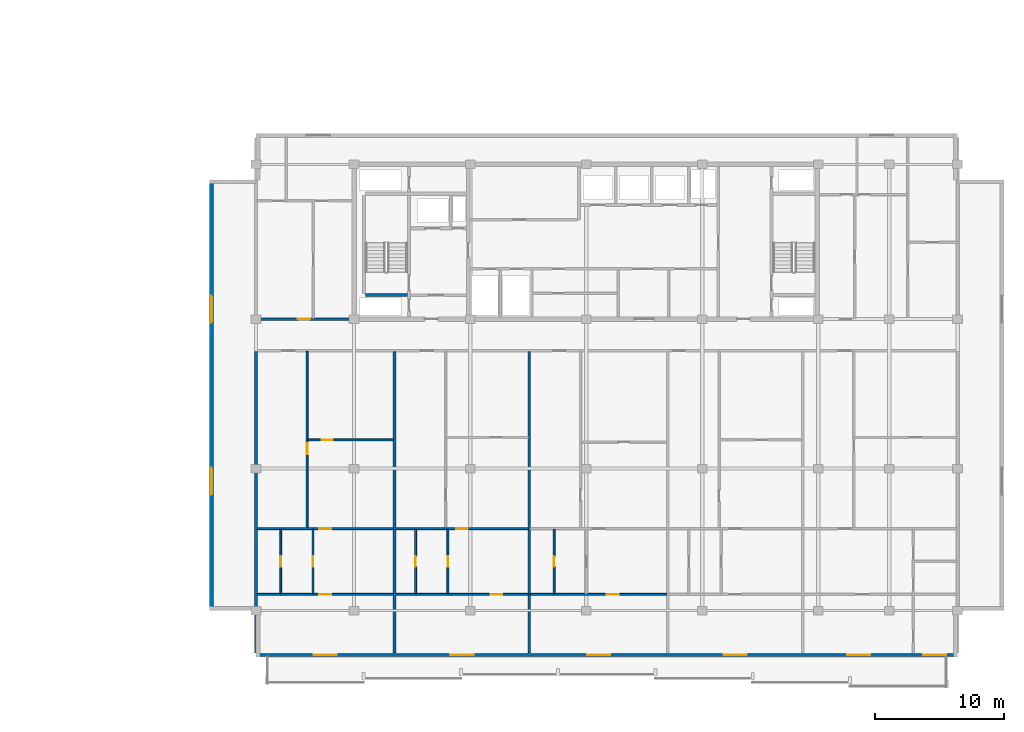
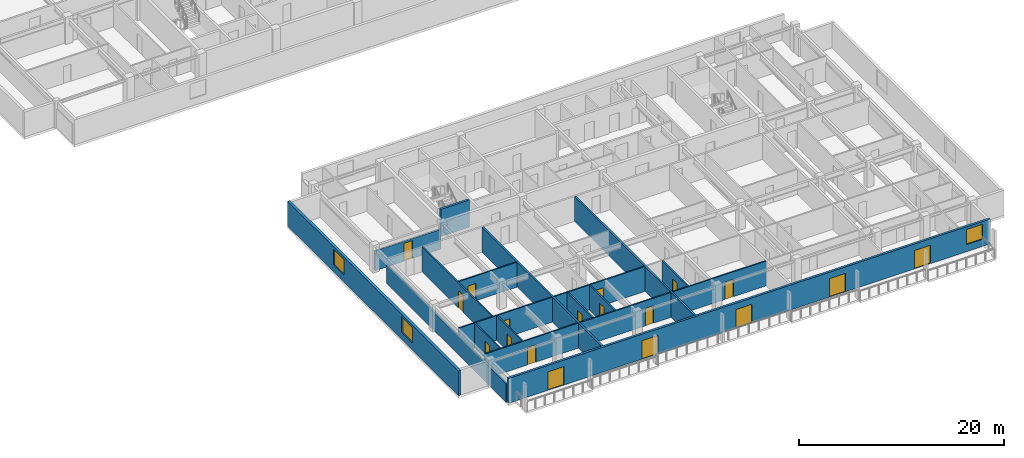
# One storey, part 4 of 21: 19 walls, 18 doors, 3 windows, 21 openings.
"""IFC4 building model written with IfcOpenShell, lengths in metres."""

from ifc_helpers import new_model, si_unit, direction, frame, frame_2d, origin, place, context, subcontext, project, spatial, rectangle, extrude, material, layer, layer_set, type_object, element, fill, save


model = new_model("IFC4")

# Units and contexts
model_context = context("Model", 3, precision=1e-05, world=origin(), true_north=direction((0.0, 1.0)))
body_context = subcontext(model_context, "Body", "Model", "MODEL_VIEW")
ifc_project = project(units=[si_unit("LENGTHUNIT", "METRE"), si_unit("AREAUNIT", "SQUARE_METRE"), si_unit("VOLUMEUNIT", "CUBIC_METRE"), si_unit("PLANEANGLEUNIT", "RADIAN"), si_unit("MASSUNIT", "GRAM", prefix="KILO")], contexts=[model_context])

# Site, building, storey
site_placement = place(None, origin())
site = spatial("IfcSite", under=ifc_project, at=site_placement, CompositionType="ELEMENT")
building_placement = place(site_placement, origin())
building = spatial("IfcBuilding", under=site, at=building_placement, Name="Korimba Cascade Residences", CompositionType="ELEMENT")
storey_placement = place(building_placement, frame((0.0, 0.0, 171.85009765625)))
storey = spatial("IfcBuildingStorey", under=building, at=storey_placement, Name="L49", CompositionType="ELEMENT", Elevation=171.85009765625)

# Wall, openings, doors, window
ifc_material_1 = material(Name="Precast concrete C40/50", Category="concrete")
ifc_layer_1 = layer(ifc_material_1, 0.25)
ifc_layer_set_1 = layer_set([ifc_layer_1], Name="Precast concrete C40/50")
wall_type_1 = type_object("IfcWallType", Name="EW-LOG-250", PredefinedType="STANDARD", material=ifc_layer_set_1)
wall_1_placement = place(storey_placement, frame((74.5, -7.64990234375, 0.0), z_axis=(0.0, 0.0, 1.0), x_axis=(1.0, 0.0, 0.0)))
wall_1 = element("IfcWall", 1, at=wall_1_placement, inside=storey, type_object=wall_type_1, Name="L49 T2 Perimeter Stone Wall E00", PredefinedType="STANDARD", context=body_context, shape_type="SweptSolid", body=[
    extrude(rectangle(XDim=54.39990234375, YDim=0.25, at=frame_2d((27.199951171875, 0.0))), origin(), (0.0, 0.0, 1.0), 2.969970703125),
])
opening_1_placement = place(wall_1_placement, frame((4.470458984375, 0.0, 0.0)))
opening_1 = element("IfcOpeningElement", 2, at=opening_1_placement, cuts=wall_1, Name="Opening D-LG1", PredefinedType="OPENING", context=body_context, shape_type="SweptSolid", body=[
    extrude(rectangle(XDim=1.800048828125, YDim=2.199951171875, at=frame_2d((0.89990234375, 1.10009765625))), frame((0.0, 0.135009765625, 0.0), z_axis=(0.0, -1.0, 0.0), x_axis=(1.0, 0.0, 0.0)), (0.0, 0.0, 1.0), 0.27001953125),
])
opening_2_placement = place(wall_1_placement, frame((15.068359375, 0.0, 0.0)))
opening_2 = element("IfcOpeningElement", 3, at=opening_2_placement, cuts=wall_1, Name="Opening D-LG1", PredefinedType="OPENING", context=body_context, shape_type="SweptSolid", body=[
    extrude(rectangle(XDim=1.800048828125, YDim=2.199951171875, at=frame_2d((0.89990234375, 1.10009765625))), frame((0.0, 0.135009765625, 0.0), z_axis=(0.0, -1.0, 0.0), x_axis=(1.0, 0.0, 0.0)), (0.0, 0.0, 1.0), 0.27001953125),
])
opening_3_placement = place(wall_1_placement, frame((25.666259765625, 0.0, 0.0)))
opening_3 = element("IfcOpeningElement", 4, at=opening_3_placement, cuts=wall_1, Name="Opening D-LG1", PredefinedType="OPENING", context=body_context, shape_type="SweptSolid", body=[
    extrude(rectangle(XDim=1.800048828125, YDim=2.199951171875, at=frame_2d((0.89990234375, 1.10009765625))), frame((0.0, 0.135009765625, 0.0), z_axis=(0.0, -1.0, 0.0), x_axis=(1.0, 0.0, 0.0)), (0.0, 0.0, 1.0), 0.27001953125),
])
opening_4_placement = place(wall_1_placement, frame((36.264404296875, 0.0, 0.0)))
opening_4 = element("IfcOpeningElement", 5, at=opening_4_placement, cuts=wall_1, Name="Opening D-LG1", PredefinedType="OPENING", context=body_context, shape_type="SweptSolid", body=[
    extrude(rectangle(XDim=1.800048828125, YDim=2.199951171875, at=frame_2d((0.89990234375, 1.10009765625))), frame((0.0, 0.135009765625, 0.0), z_axis=(0.0, -1.0, 0.0), x_axis=(1.0, 0.0, 0.0)), (0.0, 0.0, 1.0), 0.27001953125),
])
opening_5_placement = place(wall_1_placement, frame((45.845947265625, 0.0, 0.0)))
opening_5 = element("IfcOpeningElement", 6, at=opening_5_placement, cuts=wall_1, Name="Opening D-LG1", PredefinedType="OPENING", context=body_context, shape_type="SweptSolid", body=[
    extrude(rectangle(XDim=1.800048828125, YDim=2.199951171875, at=frame_2d((0.89990234375, 1.10009765625))), frame((0.0, 0.135009765625, 0.0), z_axis=(0.0, -1.0, 0.0), x_axis=(1.0, 0.0, 0.0)), (0.0, 0.0, 1.0), 0.27001953125),
])
opening_6_placement = place(wall_1_placement, frame((51.72998046875, 0.0, 0.85009765625)))
opening_6 = element("IfcOpeningElement", 7, at=opening_6_placement, cuts=wall_1, Name="Opening W-02", PredefinedType="OPENING", context=body_context, shape_type="SweptSolid", body=[
    extrude(rectangle(XDim=1.800048828125, YDim=1.800048828125, at=frame_2d((0.89990234375, 0.89990234375))), frame((0.0, 0.135009765625, 0.0), z_axis=(0.0, -1.0, 0.0), x_axis=(1.0, 0.0, 0.0)), (0.0, 0.0, 1.0), 0.27001953125),
])
ifc_material_2 = material(Name="Glazed Aluminium Loggia Sliding Door", Category="aluminium")
door_type_1 = type_object("IfcDoorType", Name="DR-EXT-LOG", OperationType="NOTDEFINED", PredefinedType="DOOR", material=ifc_material_2)
door_1_placement = place(opening_1_placement, origin())
door_1 = element("IfcDoor", 8, at=door_1_placement, inside=storey, type_object=door_type_1, Name="L49 T2 Loggia Sliding Door 3", OperationType="SLIDING_TO_RIGHT", OverallHeight=2.199951171875, OverallWidth=1.800048828125, PredefinedType="DOOR", context=body_context, shape_type="SweptSolid", body=[
    extrude(rectangle(XDim=1.800048828125, YDim=2.199951171875, at=frame_2d((0.89990234375, 1.10009765625))), frame((0.0, 0.02490234375, 0.0), z_axis=(0.0, -1.0, 0.0), x_axis=(1.0, 0.0, 0.0)), (0.0, 0.0, 1.0), 0.050048828125),
])
fill(opening_1, door_1)
door_2_placement = place(opening_2_placement, origin())
door_2 = element("IfcDoor", 9, at=door_2_placement, inside=storey, type_object=door_type_1, Name="L49 T2 Loggia Sliding Door 4", OperationType="SLIDING_TO_RIGHT", OverallHeight=2.199951171875, OverallWidth=1.800048828125, PredefinedType="DOOR", context=body_context, shape_type="SweptSolid", body=[
    extrude(rectangle(XDim=1.800048828125, YDim=2.199951171875, at=frame_2d((0.89990234375, 1.10009765625))), frame((0.0, 0.02490234375, 0.0), z_axis=(0.0, -1.0, 0.0), x_axis=(1.0, 0.0, 0.0)), (0.0, 0.0, 1.0), 0.050048828125),
])
fill(opening_2, door_2)
door_3_placement = place(opening_3_placement, origin())
door_3 = element("IfcDoor", 10, at=door_3_placement, inside=storey, type_object=door_type_1, Name="L49 T2 Loggia Sliding Door 5", OperationType="SLIDING_TO_RIGHT", OverallHeight=2.199951171875, OverallWidth=1.800048828125, PredefinedType="DOOR", context=body_context, shape_type="SweptSolid", body=[
    extrude(rectangle(XDim=1.800048828125, YDim=2.199951171875, at=frame_2d((0.89990234375, 1.10009765625))), frame((0.0, 0.02490234375, 0.0), z_axis=(0.0, -1.0, 0.0), x_axis=(1.0, 0.0, 0.0)), (0.0, 0.0, 1.0), 0.050048828125),
])
fill(opening_3, door_3)
door_4_placement = place(opening_4_placement, origin())
door_4 = element("IfcDoor", 11, at=door_4_placement, inside=storey, type_object=door_type_1, Name="L49 T2 Loggia Sliding Door 6", OperationType="SLIDING_TO_RIGHT", OverallHeight=2.199951171875, OverallWidth=1.800048828125, PredefinedType="DOOR", context=body_context, shape_type="SweptSolid", body=[
    extrude(rectangle(XDim=1.800048828125, YDim=2.199951171875, at=frame_2d((0.89990234375, 1.10009765625))), frame((0.0, 0.02490234375, 0.0), z_axis=(0.0, -1.0, 0.0), x_axis=(1.0, 0.0, 0.0)), (0.0, 0.0, 1.0), 0.050048828125),
])
fill(opening_4, door_4)
door_5_placement = place(opening_5_placement, origin())
door_5 = element("IfcDoor", 12, at=door_5_placement, inside=storey, type_object=door_type_1, Name="L49 T2 Loggia Sliding Door 7", OperationType="SLIDING_TO_RIGHT", OverallHeight=2.199951171875, OverallWidth=1.800048828125, PredefinedType="DOOR", context=body_context, shape_type="SweptSolid", body=[
    extrude(rectangle(XDim=1.800048828125, YDim=2.199951171875, at=frame_2d((0.89990234375, 1.10009765625))), frame((0.0, 0.02490234375, 0.0), z_axis=(0.0, -1.0, 0.0), x_axis=(1.0, 0.0, 0.0)), (0.0, 0.0, 1.0), 0.050048828125),
])
fill(opening_5, door_5)
ifc_material_3 = material(Name="Double-Glazed Aluminium Window", Category="aluminium")
window_type_1 = type_object("IfcWindowType", Name="WIN-BED-1800", PartitioningType="SINGLE_PANEL", PredefinedType="WINDOW", material=ifc_material_3)
window_1_placement = place(opening_6_placement, origin())
window_1 = element("IfcWindow", 13, at=window_1_placement, inside=storey, type_object=window_type_1, Name="L49 T2 South Facade Window 8", OverallHeight=1.800048828125, OverallWidth=1.800048828125, PartitioningType="SINGLE_PANEL", PredefinedType="WINDOW", context=body_context, shape_type="SweptSolid", body=[
    extrude(rectangle(XDim=1.800048828125, YDim=1.800048828125, at=frame_2d((0.89990234375, 0.89990234375))), frame((0.0, 0.030029296875, 0.0), z_axis=(0.0, -1.0, 0.0), x_axis=(1.0, 0.0, 0.0)), (0.0, 0.0, 1.0), 0.06005859375),
])
fill(opening_6, window_1)

# Wall, openings, windows
ifc_layer_2 = layer(ifc_material_1, 0.300048828125)
ifc_layer_set_2 = layer_set([ifc_layer_2], Name="Precast concrete C40/50")
wall_type_2 = type_object("IfcWallType", Name="EW-STONE-300", PredefinedType="STANDARD", material=ifc_layer_set_2)
wall_2_placement = place(storey_placement, frame((71.050048828125, 29.199951171875, 0.0), z_axis=(0.0, 0.0, 1.0), x_axis=(0.0, -1.0, 0.0)))
wall_2 = element("IfcWall", 14, at=wall_2_placement, inside=storey, type_object=wall_type_2, Name="L49 T2 Perimeter Stone Wall E09", PredefinedType="STANDARD", context=body_context, shape_type="SweptSolid", body=[
    extrude(rectangle(XDim=33.39990234375, YDim=0.300048828125, at=frame_2d((16.699951171875, 0.0))), origin(), (0.0, 0.0, 1.0), 2.969970703125),
])
opening_7_placement = place(wall_2_placement, frame((8.969970703125, 0.0, 0.85009765625)))
opening_7 = element("IfcOpeningElement", 15, at=opening_7_placement, cuts=wall_2, Name="Opening W-03", PredefinedType="OPENING", context=body_context, shape_type="SweptSolid", body=[
    extrude(rectangle(XDim=2.10009765625, YDim=1.85009765625, at=frame_2d((1.050048828125, 0.925048828125))), frame((0.0, 0.16015625, 0.0), z_axis=(0.0, -1.0, 0.0), x_axis=(1.0, 0.0, 0.0)), (0.0, 0.0, 1.0), 0.320068359375),
])
opening_8_placement = place(wall_2_placement, frame((22.330078125, 0.0, 0.85009765625)))
opening_8 = element("IfcOpeningElement", 16, at=opening_8_placement, cuts=wall_2, Name="Opening W-03", PredefinedType="OPENING", context=body_context, shape_type="SweptSolid", body=[
    extrude(rectangle(XDim=2.10009765625, YDim=1.85009765625, at=frame_2d((1.050048828125, 0.925048828125))), frame((0.0, 0.16015625, 0.0), z_axis=(0.0, -1.0, 0.0), x_axis=(1.0, 0.0, 0.0)), (0.0, 0.0, 1.0), 0.320068359375),
])
window_type_2 = type_object("IfcWindowType", Name="WIN-CRN-2100", PartitioningType="DOUBLE_PANEL_HORIZONTAL", PredefinedType="WINDOW", material=ifc_material_3)
window_2_placement = place(opening_7_placement, origin())
window_2 = element("IfcWindow", 17, at=window_2_placement, inside=storey, type_object=window_type_2, Name="L49 T2 End View Window 9.1", OverallHeight=1.85009765625, OverallWidth=2.10009765625, PartitioningType="DOUBLE_PANEL_HORIZONTAL", PredefinedType="WINDOW", context=body_context, shape_type="SweptSolid", body=[
    extrude(rectangle(XDim=2.10009765625, YDim=1.85009765625, at=frame_2d((1.050048828125, 0.925048828125))), frame((0.0, 0.030029296875, 0.0), z_axis=(0.0, -1.0, 0.0), x_axis=(1.0, 0.0, 0.0)), (0.0, 0.0, 1.0), 0.06005859375),
])
fill(opening_7, window_2)
window_3_placement = place(opening_8_placement, origin())
window_3 = element("IfcWindow", 18, at=window_3_placement, inside=storey, type_object=window_type_2, Name="L49 T2 End View Window 9.2", OverallHeight=1.85009765625, OverallWidth=2.10009765625, PartitioningType="DOUBLE_PANEL_HORIZONTAL", PredefinedType="WINDOW", context=body_context, shape_type="SweptSolid", body=[
    extrude(rectangle(XDim=2.10009765625, YDim=1.85009765625, at=frame_2d((1.050048828125, 0.925048828125))), frame((0.0, 0.030029296875, 0.0), z_axis=(0.0, -1.0, 0.0), x_axis=(1.0, 0.0, 0.0)), (0.0, 0.0, 1.0), 0.06005859375),
])
fill(opening_8, window_3)

# Wall, opening, door
ifc_layer_3 = layer(ifc_material_1, 0.199951171875)
ifc_layer_set_3 = layer_set([ifc_layer_3], Name="Precast concrete C40/50")
wall_type_3 = type_object("IfcWallType", Name="WAL-IT-200", PredefinedType="PARTITIONING", material=ifc_layer_set_3)
wall_3_placement = place(storey_placement, frame((74.5, 18.39990234375, 0.0), z_axis=(0.0, 0.0, 1.0), x_axis=(1.0, 0.0, 0.0)))
wall_3 = element("IfcWall", 19, at=wall_3_placement, inside=storey, type_object=wall_type_3, Name="L49 Partition Wall WAL-L49-T2-FW-S", PredefinedType="PARTITIONING", context=body_context, shape_type="SweptSolid", body=[
    extrude(rectangle(XDim=7.449951171875, YDim=0.199951171875, at=frame_2d((3.72509765625, 0.0))), origin(), (0.0, 0.0, 1.0), 2.357666015625),
])
opening_9_placement = place(wall_3_placement, frame((3.25, 0.0, 0.0)))
opening_9 = element("IfcOpeningElement", 20, at=opening_9_placement, cuts=wall_3, Name="Opening D-UN1", PredefinedType="OPENING", context=body_context, shape_type="SweptSolid", body=[
    extrude(rectangle(XDim=0.949951171875, YDim=2.14990234375, at=frame_2d((0.47509765625, 1.074951171875))), frame((0.0, 0.10986328125, 0.0), z_axis=(0.0, -1.0, 0.0), x_axis=(1.0, 0.0, 0.0)), (0.0, 0.0, 1.0), 0.219970703125),
])
ifc_material_4 = material(Name="Fire-Rated Hardwood Apartment Entrance Door", Category="wood")
door_type_2 = type_object("IfcDoorType", Name="DR-FD60-950", OperationType="NOTDEFINED", PredefinedType="DOOR", material=ifc_material_4)
door_6_placement = place(opening_9_placement, origin())
door_6 = element("IfcDoor", 21, at=door_6_placement, inside=storey, type_object=door_type_2, Name="L49-T2-FW Entrance Door", OperationType="SINGLE_SWING_RIGHT", OverallHeight=2.14990234375, OverallWidth=0.949951171875, PredefinedType="DOOR", context=body_context, shape_type="SweptSolid", body=[
    extrude(rectangle(XDim=0.949951171875, YDim=2.14990234375, at=frame_2d((0.47509765625, 1.074951171875))), frame((0.0, 0.02490234375, 0.0), z_axis=(0.0, -1.0, 0.0), x_axis=(1.0, 0.0, 0.0)), (0.0, 0.0, 1.0), 0.050048828125),
])
fill(opening_9, door_6)

# Walls
wall_4_placement = place(storey_placement, frame((74.5, -7.5, 0.0), z_axis=(0.0, 0.0, 1.0), x_axis=(0.0, 1.0, 0.0)))
element("IfcWall", 22, at=wall_4_placement, inside=storey, type_object=wall_type_3, Name="L49 Partition Wall WAL-L49-T2-BNDWL", PredefinedType="PARTITIONING", context=body_context, shape_type="SweptSolid", body=[
    extrude(rectangle(XDim=23.3701171875, YDim=0.199951171875, at=frame_2d((11.68505859375, 0.0))), origin(), (0.0, 0.0, 1.0), 2.2001953125),
])
for number, where, z_axis, x_axis, name in (
    (23, (85.240966796875, -7.5, 0.0), (0.0, 0.0, 1.0), (0.0, 1.0, 0.0), "L49 Partition Wall WAL-L49-T2-DEM-1"),
    (24, (95.69580078125, -7.5, 0.0), (0.0, 0.0, 1.0), (0.0, 1.0, 0.0), "L49 Partition Wall WAL-L49-T2-DEM-2"),
):
    element("IfcWall", number, at=place(storey_placement, frame(where, z_axis=z_axis, x_axis=x_axis)), inside=storey, type_object=wall_type_3, Name=name, PredefinedType="PARTITIONING", context=body_context, shape_type="SweptSolid", body=[
        extrude(rectangle(XDim=23.3701171875, YDim=0.199951171875, at=frame_2d((11.68505859375, 0.0))), origin(), (0.0, 0.0, 1.0), 2.969970703125),
    ])

# Wall, opening, door
ifc_material_5 = material(Name="Insulated Acoustic Stud Partition", Category="gypsum")
ifc_layer_4 = layer(ifc_material_5, 0.14990234375)
ifc_layer_set_4 = layer_set([ifc_layer_4], Name="Insulated Acoustic Stud Partition")
wall_type_4 = type_object("IfcWallType", Name="WAL-PART-150", PredefinedType="PARTITIONING", material=ifc_layer_set_4)
wall_5_placement = place(storey_placement, frame((78.530029296875, 9.0400390625, 0.0), z_axis=(0.0, 0.0, 1.0), x_axis=(1.0, 0.0, 0.0)))
wall_5 = element("IfcWall", 25, at=wall_5_placement, inside=storey, type_object=wall_type_4, Name="L49 Partition Wall WAL-L49-T2-U01-FMH", PredefinedType="PARTITIONING", context=body_context, shape_type="SweptSolid", body=[
    extrude(rectangle(XDim=6.630859375, YDim=0.14990234375, at=frame_2d((3.3154296875, 0.0))), origin(), (0.0, 0.0, 1.0), 2.969970703125),
])
opening_10_placement = place(wall_5_placement, frame((1.05712890625, 0.0, 0.0)))
opening_10 = element("IfcOpeningElement", 26, at=opening_10_placement, cuts=wall_5, Name="Opening D-IN2", PredefinedType="OPENING", context=body_context, shape_type="SweptSolid", body=[
    extrude(rectangle(XDim=0.8798828125, YDim=2.06005859375, at=frame_2d((0.43994140625, 1.030029296875))), frame((0.0, 0.0849609375, 0.0), z_axis=(0.0, -1.0, 0.0), x_axis=(1.0, 0.0, 0.0)), (0.0, 0.0, 1.0), 0.169921875),
])
ifc_material_6 = material(Name="Acoustic Timber Bedroom Door", Category="wood")
door_type_3 = type_object("IfcDoorType", Name="DR-INT-880", OperationType="NOTDEFINED", PredefinedType="DOOR", material=ifc_material_6)
door_7_placement = place(opening_10_placement, origin())
door_7 = element("IfcDoor", 27, at=door_7_placement, inside=storey, type_object=door_type_3, Name="L49-T2-U01 Library Salon Door", OperationType="SINGLE_SWING_LEFT", OverallHeight=2.06005859375, OverallWidth=0.8798828125, PredefinedType="DOOR", context=body_context, shape_type="SweptSolid", body=[
    extrude(rectangle(XDim=0.8798828125, YDim=2.06005859375, at=frame_2d((0.43994140625, 1.030029296875))), frame((0.0, 0.02490234375, 0.0), z_axis=(0.0, -1.0, 0.0), x_axis=(1.0, 0.0, 0.0)), (0.0, 0.0, 1.0), 0.050048828125),
])
fill(opening_10, door_7)

wall_6_placement = place(storey_placement, frame((78.469970703125, 2.18994140625, 0.0), z_axis=(0.0, 0.0, 1.0), x_axis=(0.0, 1.0, 0.0)))
wall_6 = element("IfcWall", 28, at=wall_6_placement, inside=storey, type_object=wall_type_4, Name="L49 Partition Wall WAL-L49-T2-U01-FV", PredefinedType="PARTITIONING", context=body_context, shape_type="SweptSolid", body=[
    extrude(rectangle(XDim=13.699951171875, YDim=0.14990234375, at=frame_2d((6.85009765625, 0.0))), origin(), (0.0, 0.0, 1.0), 2.969970703125),
])
opening_11_placement = place(wall_6_placement, frame((5.719970703125, 0.0, 0.0)))
opening_11 = element("IfcOpeningElement", 29, at=opening_11_placement, cuts=wall_6, Name="Opening D-IN2", PredefinedType="OPENING", context=body_context, shape_type="SweptSolid", body=[
    extrude(rectangle(XDim=0.8798828125, YDim=2.06005859375, at=frame_2d((0.43994140625, 1.030029296875))), frame((0.0, 0.0849609375, 0.0), z_axis=(0.0, -1.0, 0.0), x_axis=(1.0, 0.0, 0.0)), (0.0, 0.0, 1.0), 0.169921875),
])
door_8_placement = place(opening_11_placement, origin())
door_8 = element("IfcDoor", 30, at=door_8_placement, inside=storey, type_object=door_type_3, Name="L49-T2-U01 Media Lounge Door", OperationType="SINGLE_SWING_RIGHT", OverallHeight=2.06005859375, OverallWidth=0.8798828125, PredefinedType="DOOR", context=body_context, shape_type="SweptSolid", body=[
    extrude(rectangle(XDim=0.8798828125, YDim=2.06005859375, at=frame_2d((0.43994140625, 1.030029296875))), frame((0.0, 0.02490234375, 0.0), z_axis=(0.0, -1.0, 0.0), x_axis=(1.0, 0.0, 0.0)), (0.0, 0.0, 1.0), 0.050048828125),
])
fill(opening_11, door_8)

wall_7_placement = place(storey_placement, frame((76.4208984375, -2.889892578125, 0.0), z_axis=(0.0, 0.0, 1.0), x_axis=(0.0, 1.0, 0.0)))
wall_7 = element("IfcWall", 31, at=wall_7_placement, inside=storey, type_object=wall_type_4, Name="L49 Partition Wall WAL-L49-T2-U01-CLS", PredefinedType="PARTITIONING", context=body_context, shape_type="SweptSolid", body=[
    extrude(rectangle(XDim=5.0, YDim=0.14990234375, at=frame_2d((2.5, 0.0))), origin(), (0.0, 0.0, 1.0), 2.969970703125),
])
opening_12_placement = place(wall_7_placement, frame((2.080078125, 0.0, 0.0)))
opening_12 = element("IfcOpeningElement", 32, at=opening_12_placement, cuts=wall_7, Name="Opening D-BT1", PredefinedType="OPENING", context=body_context, shape_type="SweptSolid", body=[
    extrude(rectangle(XDim=0.840087890625, YDim=2.0400390625, at=frame_2d((0.419921875, 1.02001953125))), frame((0.0, 0.0849609375, 0.0), z_axis=(0.0, -1.0, 0.0), x_axis=(1.0, 0.0, 0.0)), (0.0, 0.0, 1.0), 0.169921875),
])
ifc_material_7 = material(Name="Moisture-Resistant Bathroom Timber Door", Category="wood")
door_type_4 = type_object("IfcDoorType", Name="DR-INT-850", OperationType="NOTDEFINED", PredefinedType="DOOR", material=ifc_material_7)
door_9_placement = place(opening_12_placement, origin())
door_9 = element("IfcDoor", 33, at=door_9_placement, inside=storey, type_object=door_type_4, Name="L49-T2-U01 Closet Door", OperationType="SINGLE_SWING_LEFT", OverallHeight=2.0400390625, OverallWidth=0.840087890625, PredefinedType="DOOR", context=body_context, shape_type="SweptSolid", body=[
    extrude(rectangle(XDim=0.840087890625, YDim=2.0400390625, at=frame_2d((0.419921875, 1.02001953125))), frame((0.0, 0.02490234375, 0.0), z_axis=(0.0, -1.0, 0.0), x_axis=(1.0, 0.0, 0.0)), (0.0, 0.0, 1.0), 0.050048828125),
])
fill(opening_12, door_9)

wall_8_placement = place(storey_placement, frame((78.9208984375, -2.889892578125, 0.0), z_axis=(0.0, 0.0, 1.0), x_axis=(0.0, 1.0, 0.0)))
wall_8 = element("IfcWall", 34, at=wall_8_placement, inside=storey, type_object=wall_type_4, Name="L49 Partition Wall WAL-L49-T2-U01-BM", PredefinedType="PARTITIONING", context=body_context, shape_type="SweptSolid", body=[
    extrude(rectangle(XDim=5.0, YDim=0.14990234375, at=frame_2d((2.5, 0.0))), origin(), (0.0, 0.0, 1.0), 2.969970703125),
])
opening_13_placement = place(wall_8_placement, frame((2.080078125, 0.0, 0.0)))
opening_13 = element("IfcOpeningElement", 35, at=opening_13_placement, cuts=wall_8, Name="Opening D-BT1", PredefinedType="OPENING", context=body_context, shape_type="SweptSolid", body=[
    extrude(rectangle(XDim=0.840087890625, YDim=2.0400390625, at=frame_2d((0.419921875, 1.02001953125))), frame((0.0, 0.0849609375, 0.0), z_axis=(0.0, -1.0, 0.0), x_axis=(1.0, 0.0, 0.0)), (0.0, 0.0, 1.0), 0.169921875),
])
door_10_placement = place(opening_13_placement, origin())
door_10 = element("IfcDoor", 36, at=door_10_placement, inside=storey, type_object=door_type_4, Name="L49-T2-U01 Bathroom Door", OperationType="SINGLE_SWING_RIGHT", OverallHeight=2.0400390625, OverallWidth=0.840087890625, PredefinedType="DOOR", context=body_context, shape_type="SweptSolid", body=[
    extrude(rectangle(XDim=0.840087890625, YDim=2.0400390625, at=frame_2d((0.419921875, 1.02001953125))), frame((0.0, 0.02490234375, 0.0), z_axis=(0.0, -1.0, 0.0), x_axis=(1.0, 0.0, 0.0)), (0.0, 0.0, 1.0), 0.050048828125),
])
fill(opening_13, door_10)

wall_9_placement = place(storey_placement, frame((74.580078125, 2.14990234375, 0.0), z_axis=(0.0, 0.0, 1.0), x_axis=(1.0, 0.0, 0.0)))
wall_9 = element("IfcWall", 37, at=wall_9_placement, inside=storey, type_object=wall_type_4, Name="L49 Partition Wall WAL-L49-T2-U01-MW", PredefinedType="PARTITIONING", context=body_context, shape_type="SweptSolid", body=[
    extrude(rectangle(XDim=10.580810546875, YDim=0.14990234375, at=frame_2d((5.29052734375, 0.0))), origin(), (0.0, 0.0, 1.0), 2.969970703125),
])
opening_14_placement = place(wall_9_placement, frame((4.830322265625, 0.0, 0.0)))
opening_14 = element("IfcOpeningElement", 38, at=opening_14_placement, cuts=wall_9, Name="Opening D-IN1", PredefinedType="OPENING", context=body_context, shape_type="SweptSolid", body=[
    extrude(rectangle(XDim=0.919921875, YDim=2.080078125, at=frame_2d((0.4599609375, 1.0400390625))), frame((0.0, 0.0849609375, 0.0), z_axis=(0.0, -1.0, 0.0), x_axis=(1.0, 0.0, 0.0)), (0.0, 0.0, 1.0), 0.169921875),
])
ifc_material_8 = material(Name="Acoustic Timber Living Door", Category="wood")
door_type_5 = type_object("IfcDoorType", Name="DR-INT-920", OperationType="NOTDEFINED", PredefinedType="DOOR", material=ifc_material_8)
door_11_placement = place(opening_14_placement, origin())
door_11 = element("IfcDoor", 39, at=door_11_placement, inside=storey, type_object=door_type_5, Name="L49-T2-U01 Studio Kitchen Door", OperationType="SINGLE_SWING_LEFT", OverallHeight=2.080078125, OverallWidth=0.919921875, PredefinedType="DOOR", context=body_context, shape_type="SweptSolid", body=[
    extrude(rectangle(XDim=0.919921875, YDim=2.080078125, at=frame_2d((0.4599609375, 1.0400390625))), frame((0.0, 0.02490234375, 0.0), z_axis=(0.0, -1.0, 0.0), x_axis=(1.0, 0.0, 0.0)), (0.0, 0.0, 1.0), 0.050048828125),
])
fill(opening_14, door_11)

wall_10_placement = place(storey_placement, frame((74.580078125, -2.949951171875, 0.0), z_axis=(0.0, 0.0, 1.0), x_axis=(1.0, 0.0, 0.0)))
wall_10 = element("IfcWall", 40, at=wall_10_placement, inside=storey, type_object=wall_type_4, Name="L49 Partition Wall WAL-L49-T2-U01-HZ", PredefinedType="PARTITIONING", context=body_context, shape_type="SweptSolid", body=[
    extrude(rectangle(XDim=10.580810546875, YDim=0.14990234375, at=frame_2d((5.29052734375, 0.0))), origin(), (0.0, 0.0, 1.0), 2.969970703125),
])
opening_15_placement = place(wall_10_placement, frame((4.830322265625, 0.0, 0.0)))
opening_15 = element("IfcOpeningElement", 41, at=opening_15_placement, cuts=wall_10, Name="Opening D-IN1", PredefinedType="OPENING", context=body_context, shape_type="SweptSolid", body=[
    extrude(rectangle(XDim=0.919921875, YDim=2.080078125, at=frame_2d((0.4599609375, 1.0400390625))), frame((0.0, 0.0849609375, 0.0), z_axis=(0.0, -1.0, 0.0), x_axis=(1.0, 0.0, 0.0)), (0.0, 0.0, 1.0), 0.169921875),
])
door_12_placement = place(opening_15_placement, origin())
door_12 = element("IfcDoor", 42, at=door_12_placement, inside=storey, type_object=door_type_5, Name="L49-T2-U01 Studio Door", OperationType="SINGLE_SWING_RIGHT", OverallHeight=2.080078125, OverallWidth=0.919921875, PredefinedType="DOOR", context=body_context, shape_type="SweptSolid", body=[
    extrude(rectangle(XDim=0.919921875, YDim=2.080078125, at=frame_2d((0.4599609375, 1.0400390625))), frame((0.0, 0.02490234375, 0.0), z_axis=(0.0, -1.0, 0.0), x_axis=(1.0, 0.0, 0.0)), (0.0, 0.0, 1.0), 0.050048828125),
])
fill(opening_15, door_12)

wall_11_placement = place(storey_placement, frame((86.8759765625, -2.889892578125, 0.0), z_axis=(0.0, 0.0, 1.0), x_axis=(0.0, 1.0, 0.0)))
wall_11 = element("IfcWall", 43, at=wall_11_placement, inside=storey, type_object=wall_type_4, Name="L49 Partition Wall WAL-L49-T2-U02-CLS", PredefinedType="PARTITIONING", context=body_context, shape_type="SweptSolid", body=[
    extrude(rectangle(XDim=5.0, YDim=0.14990234375, at=frame_2d((2.5, 0.0))), origin(), (0.0, 0.0, 1.0), 2.969970703125),
])
opening_16_placement = place(wall_11_placement, frame((2.080078125, 0.0, 0.0)))
opening_16 = element("IfcOpeningElement", 44, at=opening_16_placement, cuts=wall_11, Name="Opening D-BT1", PredefinedType="OPENING", context=body_context, shape_type="SweptSolid", body=[
    extrude(rectangle(XDim=0.840087890625, YDim=2.0400390625, at=frame_2d((0.419921875, 1.02001953125))), frame((0.0, 0.0849609375, 0.0), z_axis=(0.0, -1.0, 0.0), x_axis=(1.0, 0.0, 0.0)), (0.0, 0.0, 1.0), 0.169921875),
])
door_13_placement = place(opening_16_placement, origin())
door_13 = element("IfcDoor", 45, at=door_13_placement, inside=storey, type_object=door_type_4, Name="L49-T2-U02 Closet Door", OperationType="SINGLE_SWING_LEFT", OverallHeight=2.0400390625, OverallWidth=0.840087890625, PredefinedType="DOOR", context=body_context, shape_type="SweptSolid", body=[
    extrude(rectangle(XDim=0.840087890625, YDim=2.0400390625, at=frame_2d((0.419921875, 1.02001953125))), frame((0.0, 0.02490234375, 0.0), z_axis=(0.0, -1.0, 0.0), x_axis=(1.0, 0.0, 0.0)), (0.0, 0.0, 1.0), 0.050048828125),
])
fill(opening_16, door_13)

wall_12_placement = place(storey_placement, frame((89.3759765625, -2.889892578125, 0.0), z_axis=(0.0, 0.0, 1.0), x_axis=(0.0, 1.0, 0.0)))
wall_12 = element("IfcWall", 46, at=wall_12_placement, inside=storey, type_object=wall_type_4, Name="L49 Partition Wall WAL-L49-T2-U02-BM", PredefinedType="PARTITIONING", context=body_context, shape_type="SweptSolid", body=[
    extrude(rectangle(XDim=5.0, YDim=0.14990234375, at=frame_2d((2.5, 0.0))), origin(), (0.0, 0.0, 1.0), 2.969970703125),
])
opening_17_placement = place(wall_12_placement, frame((2.080078125, 0.0, 0.0)))
opening_17 = element("IfcOpeningElement", 47, at=opening_17_placement, cuts=wall_12, Name="Opening D-BT1", PredefinedType="OPENING", context=body_context, shape_type="SweptSolid", body=[
    extrude(rectangle(XDim=0.840087890625, YDim=2.0400390625, at=frame_2d((0.419921875, 1.02001953125))), frame((0.0, 0.0849609375, 0.0), z_axis=(0.0, -1.0, 0.0), x_axis=(1.0, 0.0, 0.0)), (0.0, 0.0, 1.0), 0.169921875),
])
door_14_placement = place(opening_17_placement, origin())
door_14 = element("IfcDoor", 48, at=door_14_placement, inside=storey, type_object=door_type_4, Name="L49-T2-U02 Bathroom Door", OperationType="SINGLE_SWING_RIGHT", OverallHeight=2.0400390625, OverallWidth=0.840087890625, PredefinedType="DOOR", context=body_context, shape_type="SweptSolid", body=[
    extrude(rectangle(XDim=0.840087890625, YDim=2.0400390625, at=frame_2d((0.419921875, 1.02001953125))), frame((0.0, 0.02490234375, 0.0), z_axis=(0.0, -1.0, 0.0), x_axis=(1.0, 0.0, 0.0)), (0.0, 0.0, 1.0), 0.050048828125),
])
fill(opening_17, door_14)

wall_13_placement = place(storey_placement, frame((85.32080078125, 2.14990234375, 0.0), z_axis=(0.0, 0.0, 1.0), x_axis=(1.0, 0.0, 0.0)))
wall_13 = element("IfcWall", 49, at=wall_13_placement, inside=storey, type_object=wall_type_4, Name="L49 Partition Wall WAL-L49-T2-U02-MW", PredefinedType="PARTITIONING", context=body_context, shape_type="SweptSolid", body=[
    extrude(rectangle(XDim=10.295166015625, YDim=0.14990234375, at=frame_2d((5.1474609375, 0.0))), origin(), (0.0, 0.0, 1.0), 2.969970703125),
])
opening_18_placement = place(wall_13_placement, frame((4.6875, 0.0, 0.0)))
opening_18 = element("IfcOpeningElement", 50, at=opening_18_placement, cuts=wall_13, Name="Opening D-IN1", PredefinedType="OPENING", context=body_context, shape_type="SweptSolid", body=[
    extrude(rectangle(XDim=0.919921875, YDim=2.080078125, at=frame_2d((0.4599609375, 1.0400390625))), frame((0.0, 0.0849609375, 0.0), z_axis=(0.0, -1.0, 0.0), x_axis=(1.0, 0.0, 0.0)), (0.0, 0.0, 1.0), 0.169921875),
])
door_15_placement = place(opening_18_placement, origin())
door_15 = element("IfcDoor", 51, at=door_15_placement, inside=storey, type_object=door_type_5, Name="L49-T2-U02 Studio Kitchen Door", OperationType="SINGLE_SWING_LEFT", OverallHeight=2.080078125, OverallWidth=0.919921875, PredefinedType="DOOR", context=body_context, shape_type="SweptSolid", body=[
    extrude(rectangle(XDim=0.919921875, YDim=2.080078125, at=frame_2d((0.4599609375, 1.0400390625))), frame((0.0, 0.02490234375, 0.0), z_axis=(0.0, -1.0, 0.0), x_axis=(1.0, 0.0, 0.0)), (0.0, 0.0, 1.0), 0.050048828125),
])
fill(opening_18, door_15)

wall_14_placement = place(storey_placement, frame((85.32080078125, -2.949951171875, 0.0), z_axis=(0.0, 0.0, 1.0), x_axis=(1.0, 0.0, 0.0)))
wall_14 = element("IfcWall", 52, at=wall_14_placement, inside=storey, type_object=wall_type_4, Name="L49 Partition Wall WAL-L49-T2-U02-HZ", PredefinedType="PARTITIONING", context=body_context, shape_type="SweptSolid", body=[
    extrude(rectangle(XDim=10.295166015625, YDim=0.14990234375, at=frame_2d((5.1474609375, 0.0))), origin(), (0.0, 0.0, 1.0), 2.969970703125),
])
opening_19_placement = place(wall_14_placement, frame((7.3642578125, 0.0, 0.0)))
opening_19 = element("IfcOpeningElement", 53, at=opening_19_placement, cuts=wall_14, Name="Opening D-IN1", PredefinedType="OPENING", context=body_context, shape_type="SweptSolid", body=[
    extrude(rectangle(XDim=0.919921875, YDim=2.080078125, at=frame_2d((0.4599609375, 1.0400390625))), frame((0.0, 0.0849609375, 0.0), z_axis=(0.0, -1.0, 0.0), x_axis=(1.0, 0.0, 0.0)), (0.0, 0.0, 1.0), 0.169921875),
])
door_16_placement = place(opening_19_placement, origin())
door_16 = element("IfcDoor", 54, at=door_16_placement, inside=storey, type_object=door_type_5, Name="L49-T2-U02 Studio Door", OperationType="SINGLE_SWING_RIGHT", OverallHeight=2.080078125, OverallWidth=0.919921875, PredefinedType="DOOR", context=body_context, shape_type="SweptSolid", body=[
    extrude(rectangle(XDim=0.919921875, YDim=2.080078125, at=frame_2d((0.4599609375, 1.0400390625))), frame((0.0, 0.02490234375, 0.0), z_axis=(0.0, -1.0, 0.0), x_axis=(1.0, 0.0, 0.0)), (0.0, 0.0, 1.0), 0.050048828125),
])
fill(opening_19, door_16)

wall_15_placement = place(storey_placement, frame((97.61669921875, -2.889892578125, 0.0), z_axis=(0.0, 0.0, 1.0), x_axis=(0.0, 1.0, 0.0)))
wall_15 = element("IfcWall", 55, at=wall_15_placement, inside=storey, type_object=wall_type_4, Name="L49 Partition Wall WAL-L49-T2-U03-CLS", PredefinedType="PARTITIONING", context=body_context, shape_type="SweptSolid", body=[
    extrude(rectangle(XDim=5.0, YDim=0.14990234375, at=frame_2d((2.5, 0.0))), origin(), (0.0, 0.0, 1.0), 2.969970703125),
])
opening_20_placement = place(wall_15_placement, frame((2.080078125, 0.0, 0.0)))
opening_20 = element("IfcOpeningElement", 56, at=opening_20_placement, cuts=wall_15, Name="Opening D-BT1", PredefinedType="OPENING", context=body_context, shape_type="SweptSolid", body=[
    extrude(rectangle(XDim=0.840087890625, YDim=2.0400390625, at=frame_2d((0.419921875, 1.02001953125))), frame((0.0, 0.0849609375, 0.0), z_axis=(0.0, -1.0, 0.0), x_axis=(1.0, 0.0, 0.0)), (0.0, 0.0, 1.0), 0.169921875),
])
door_17_placement = place(opening_20_placement, origin())
door_17 = element("IfcDoor", 57, at=door_17_placement, inside=storey, type_object=door_type_4, Name="L49-T2-U03 Closet Door", OperationType="SINGLE_SWING_LEFT", OverallHeight=2.0400390625, OverallWidth=0.840087890625, PredefinedType="DOOR", context=body_context, shape_type="SweptSolid", body=[
    extrude(rectangle(XDim=0.840087890625, YDim=2.0400390625, at=frame_2d((0.419921875, 1.02001953125))), frame((0.0, 0.02490234375, 0.0), z_axis=(0.0, -1.0, 0.0), x_axis=(1.0, 0.0, 0.0)), (0.0, 0.0, 1.0), 0.050048828125),
])
fill(opening_20, door_17)

wall_16_placement = place(storey_placement, frame((95.77587890625, -2.949951171875, 0.0), z_axis=(0.0, 0.0, 1.0), x_axis=(1.0, 0.0, 0.0)))
wall_16 = element("IfcWall", 58, at=wall_16_placement, inside=storey, type_object=wall_type_4, Name="L49 Partition Wall WAL-L49-T2-U03-HZ", PredefinedType="PARTITIONING", context=body_context, shape_type="SweptSolid", body=[
    extrude(rectangle(XDim=10.580810546875, YDim=0.14990234375, at=frame_2d((5.29052734375, 0.0))), origin(), (0.0, 0.0, 1.0), 2.969970703125),
])
opening_21_placement = place(wall_16_placement, frame((5.92919921875, 0.0, 0.0)))
opening_21 = element("IfcOpeningElement", 59, at=opening_21_placement, cuts=wall_16, Name="Opening D-IN1", PredefinedType="OPENING", context=body_context, shape_type="SweptSolid", body=[
    extrude(rectangle(XDim=0.919921875, YDim=2.080078125, at=frame_2d((0.4599609375, 1.0400390625))), frame((0.0, 0.0849609375, 0.0), z_axis=(0.0, -1.0, 0.0), x_axis=(1.0, 0.0, 0.0)), (0.0, 0.0, 1.0), 0.169921875),
])
door_18_placement = place(opening_21_placement, origin())
door_18 = element("IfcDoor", 60, at=door_18_placement, inside=storey, type_object=door_type_5, Name="L49-T2-U03 Studio Door", OperationType="SINGLE_SWING_RIGHT", OverallHeight=2.080078125, OverallWidth=0.919921875, PredefinedType="DOOR", context=body_context, shape_type="SweptSolid", body=[
    extrude(rectangle(XDim=0.919921875, YDim=2.080078125, at=frame_2d((0.4599609375, 1.0400390625))), frame((0.0, 0.02490234375, 0.0), z_axis=(0.0, -1.0, 0.0), x_axis=(1.0, 0.0, 0.0)), (0.0, 0.0, 1.0), 0.050048828125),
])
fill(opening_21, door_18)

# Wall
ifc_material_9 = material(Name="Concrete C50/60", Category="concrete")
ifc_layer_5 = layer(ifc_material_9, 0.25)
ifc_layer_set_5 = layer_set([ifc_layer_5], Name="Concrete C50/60")
wall_type_5 = type_object("IfcWallType", Name="WAL-SHAFT-250", PredefinedType="SHEAR", material=ifc_layer_set_5)
wall_17_placement = place(storey_placement, frame((83.0, 20.27490234375, 0.0), z_axis=(0.0, 0.0, 1.0), x_axis=(1.0, 0.0, 0.0)))
element("IfcWall", 61, at=wall_17_placement, inside=storey, type_object=wall_type_5, Name="L49 Core Shear Wall CW-L49-T2-STE1S", PredefinedType="SHEAR", context=body_context, shape_type="SweptSolid", body=[
    extrude(rectangle(XDim=3.239990234375, YDim=0.25, at=frame_2d((1.6201171875, 0.0))), origin(), (0.0, 0.0, 1.0), 3.25),
])

save(model, "model.ifc")
